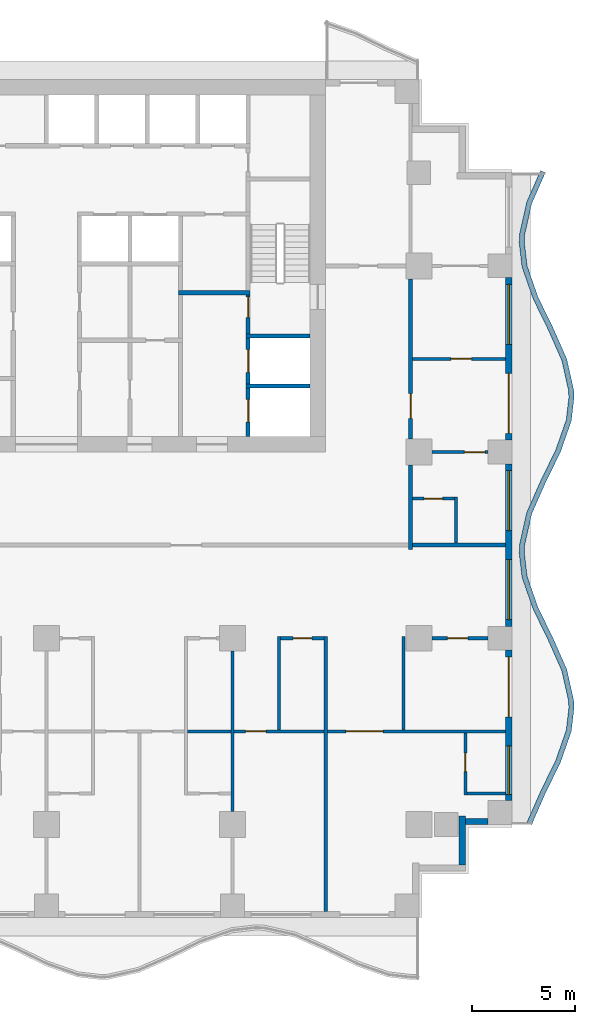
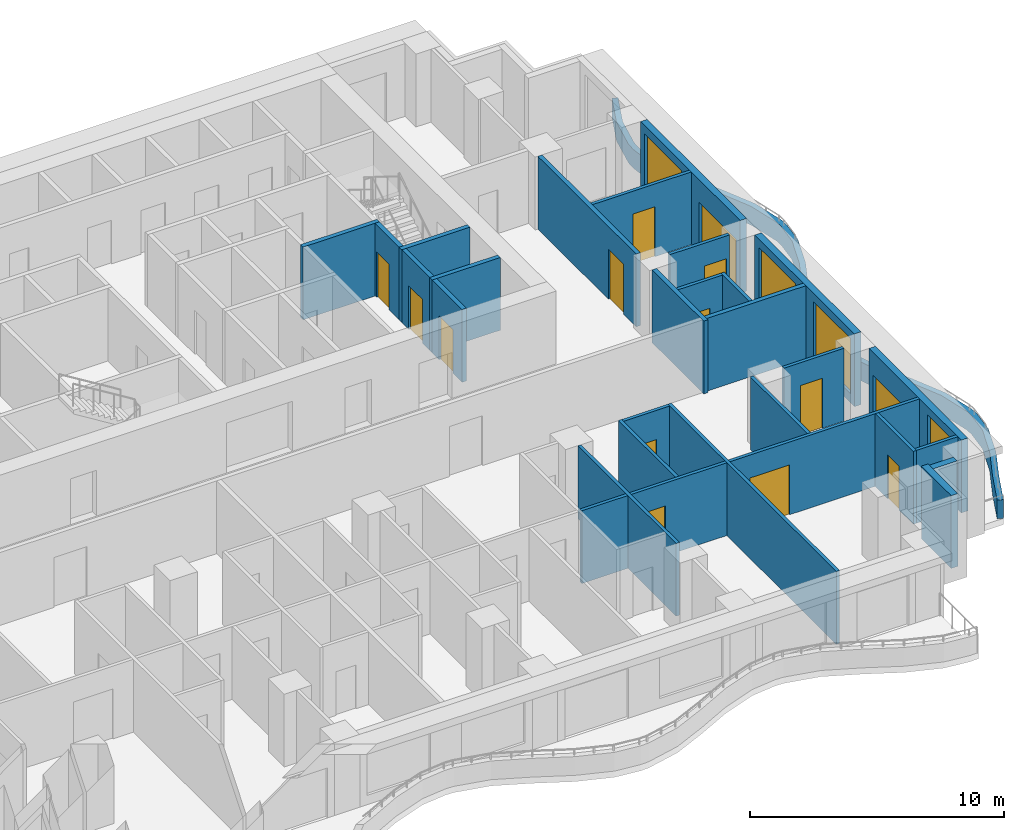
# One storey, part 4 of 10: 30 walls, 14 doors, 4 windows, 18 openings.
"""IFC4 building model written with IfcOpenShell, lengths in metres."""

from ifc_helpers import new_model, si_unit, direction, frame, frame_2d, origin, place, context, subcontext, project, spatial, polyline, rectangle, outline, extrude, material, layer, layer_set, type_object, element, fill, save


model = new_model("IFC4")

# Units and contexts
model_context = context("Model", 3, precision=1e-05, world=origin(), true_north=direction((0.0, 1.0)))
body_context = subcontext(model_context, "Body", "Model", "MODEL_VIEW")
ifc_project = project(units=[si_unit("LENGTHUNIT", "METRE"), si_unit("AREAUNIT", "SQUARE_METRE"), si_unit("VOLUMEUNIT", "CUBIC_METRE"), si_unit("PLANEANGLEUNIT", "RADIAN"), si_unit("MASSUNIT", "GRAM", prefix="KILO")], contexts=[model_context])

# Site, building, storey
site_placement = place(None, origin())
site = spatial("IfcSite", under=ifc_project, at=site_placement, CompositionType="ELEMENT")
building_placement = place(site_placement, origin())
building = spatial("IfcBuilding", under=site, at=building_placement, Name="Orbiselva Terraces", CompositionType="ELEMENT")
storey_placement = place(building_placement, frame((0.0, 0.0, 140.2)))
storey = spatial("IfcBuildingStorey", under=building, at=storey_placement, Name="L35", CompositionType="ELEMENT", Elevation=140.2)

# Wall
ifc_material_1 = material(Name="Concrete C60/75", Category="concrete")
ifc_layer_1 = layer(ifc_material_1, 0.2)
ifc_layer_set_1 = layer_set([ifc_layer_1], Name="Concrete C60/75")
wall_type_1 = type_object("IfcWallType", Name="CORE-WALL-SHEAR-200", PredefinedType="SHEAR", material=ifc_layer_set_1)
wall_1_placement = place(storey_placement, frame((6.375, 12.2, 0.0), z_axis=(0.0, 0.0, 1.0), x_axis=(1.0, 0.0, 0.0)))
element("IfcWall", 1, at=wall_1_placement, inside=storey, type_object=wall_type_1, Name="L35 core wall 34", PredefinedType="SHEAR", context=body_context, shape_type="SweptSolid", body=[
    extrude(rectangle(XDim=3.475, YDim=0.2, at=frame_2d((1.7375, 0.0))), origin(), (0.0, 0.0, 1.0), 3.5),
])

# Wall, opening, door
wall_2_placement = place(storey_placement, frame((9.75, 5.25, 0.0), z_axis=(0.0, 0.0, 1.0), x_axis=(0.0, 1.0, 0.0)))
wall_2 = element("IfcWall", 2, at=wall_2_placement, inside=storey, type_object=wall_type_1, Name="L35 core wall 38", PredefinedType="SHEAR", context=body_context, shape_type="SweptSolid", body=[
    extrude(rectangle(XDim=2.35, YDim=0.2, at=frame_2d((1.175, 0.0))), origin(), (0.0, 0.0, 1.0), 3.5),
])
opening_1_placement = place(wall_2_placement, frame((0.7, 0.0, 0.0)))
opening_1 = element("IfcOpeningElement", 3, at=opening_1_placement, cuts=wall_2, Name="Opening LD-FF1", PredefinedType="OPENING", context=body_context, shape_type="SweptSolid", body=[
    extrude(rectangle(XDim=1.1, YDim=2.1, at=frame_2d((0.55, 1.05))), frame((0.0, 0.11, 0.0), z_axis=(0.0, -1.0, 0.0), x_axis=(1.0, 0.0, 0.0)), (0.0, 0.0, 1.0), 0.22),
])
ifc_material_2 = material(Name="Stainless steel landing door", Category="steel")
door_type_1 = type_object("IfcDoorType", Name="LANDING DOOR 1100", OperationType="SLIDING_TO_LEFT", PredefinedType="DOOR", material=ifc_material_2)
door_1_placement = place(opening_1_placement, origin())
door_1 = element("IfcDoor", 4, at=door_1_placement, inside=storey, type_object=door_type_1, Name="L35 landing door FF1", OperationType="SLIDING_TO_RIGHT", OverallHeight=2.1, OverallWidth=1.1, PredefinedType="DOOR", context=body_context, shape_type="SweptSolid", body=[
    extrude(rectangle(XDim=1.1, YDim=2.1, at=frame_2d((0.55, 1.05))), frame((0.0, 0.025, 0.0), z_axis=(0.0, -1.0, 0.0), x_axis=(1.0, 0.0, 0.0)), (0.0, 0.0, 1.0), 0.05),
])
fill(opening_1, door_1)

# Wall
wall_3_placement = place(storey_placement, frame((9.65, 7.7, 0.0), z_axis=(0.0, 0.0, 1.0), x_axis=(1.0, 0.0, 0.0)))
element("IfcWall", 5, at=wall_3_placement, inside=storey, type_object=wall_type_1, Name="L35 core wall 39", PredefinedType="SHEAR", context=body_context, shape_type="SweptSolid", body=[
    extrude(rectangle(XDim=3.1, YDim=0.2, at=frame_2d((1.55, 0.0))), origin(), (0.0, 0.0, 1.0), 3.5),
])

# Wall, opening, door
wall_4_placement = place(storey_placement, frame((9.75, 7.8, 0.0), z_axis=(0.0, 0.0, 1.0), x_axis=(0.0, 1.0, 0.0)))
wall_4 = element("IfcWall", 6, at=wall_4_placement, inside=storey, type_object=wall_type_1, Name="L35 core wall 40", PredefinedType="SHEAR", context=body_context, shape_type="SweptSolid", body=[
    extrude(rectangle(XDim=2.2, YDim=0.2, at=frame_2d((1.1, 0.0))), origin(), (0.0, 0.0, 1.0), 3.5),
])
opening_2_placement = place(wall_4_placement, frame((0.55, 0.0, 0.0)))
opening_2 = element("IfcOpeningElement", 7, at=opening_2_placement, cuts=wall_4, Name="Opening LD-FF2", PredefinedType="OPENING", context=body_context, shape_type="SweptSolid", body=[
    extrude(rectangle(XDim=1.1, YDim=2.1, at=frame_2d((0.55, 1.05))), frame((0.0, 0.11, 0.0), z_axis=(0.0, -1.0, 0.0), x_axis=(1.0, 0.0, 0.0)), (0.0, 0.0, 1.0), 0.22),
])
door_2_placement = place(opening_2_placement, origin())
door_2 = element("IfcDoor", 8, at=door_2_placement, inside=storey, type_object=door_type_1, Name="L35 landing door FF2", OperationType="SLIDING_TO_RIGHT", OverallHeight=2.1, OverallWidth=1.1, PredefinedType="DOOR", context=body_context, shape_type="SweptSolid", body=[
    extrude(rectangle(XDim=1.1, YDim=2.1, at=frame_2d((0.55, 1.05))), frame((0.0, 0.025, 0.0), z_axis=(0.0, -1.0, 0.0), x_axis=(1.0, 0.0, 0.0)), (0.0, 0.0, 1.0), 0.05),
])
fill(opening_2, door_2)

# Wall
wall_5_placement = place(storey_placement, frame((9.65, 10.1, 0.0), z_axis=(0.0, 0.0, 1.0), x_axis=(1.0, 0.0, 0.0)))
element("IfcWall", 9, at=wall_5_placement, inside=storey, type_object=wall_type_1, Name="L35 core wall 41", PredefinedType="SHEAR", context=body_context, shape_type="SweptSolid", body=[
    extrude(rectangle(XDim=3.1, YDim=0.2, at=frame_2d((1.55, 0.0))), origin(), (0.0, 0.0, 1.0), 3.5),
])

# Wall, opening, door
wall_6_placement = place(storey_placement, frame((9.75, 12.1, 0.0), z_axis=(0.0, 0.0, 1.0), x_axis=(0.0, -1.0, 0.0)))
wall_6 = element("IfcWall", 10, at=wall_6_placement, inside=storey, type_object=wall_type_1, Name="L35 core wall 42", PredefinedType="SHEAR", context=body_context, shape_type="SweptSolid", body=[
    extrude(rectangle(XDim=1.9, YDim=0.2, at=frame_2d((0.95, 0.0))), origin(), (0.0, 0.0, 1.0), 3.5),
])
opening_3_placement = place(wall_6_placement, frame((0.1, 0.0, 0.0)))
opening_3 = element("IfcOpeningElement", 11, at=opening_3_placement, cuts=wall_6, Name="Opening DS1000", PredefinedType="OPENING", context=body_context, shape_type="SweptSolid", body=[
    extrude(rectangle(XDim=1.0, YDim=2.2, at=frame_2d((0.5, 1.1))), frame((0.0, 0.11, 0.0), z_axis=(0.0, -1.0, 0.0), x_axis=(1.0, 0.0, 0.0)), (0.0, 0.0, 1.0), 0.22),
])
ifc_material_3 = material(Name="Steel fire door", Category="steel")
door_type_2 = type_object("IfcDoorType", Name="STAIR DOOR 1000", OperationType="NOTDEFINED", PredefinedType="DOOR", material=ifc_material_3)
door_3_placement = place(opening_3_placement, origin())
door_3 = element("IfcDoor", 12, at=door_3_placement, inside=storey, type_object=door_type_2, Name="L35 FIRE-FIGHTING LOBBY TO EXIT STAIR S2 door", OperationType="SINGLE_SWING_LEFT", OverallHeight=2.2, OverallWidth=1.0, PredefinedType="DOOR", context=body_context, shape_type="SweptSolid", body=[
    extrude(rectangle(XDim=1.0, YDim=2.2, at=frame_2d((0.5, 1.1))), frame((0.0, 0.025, 0.0), z_axis=(0.0, -1.0, 0.0), x_axis=(1.0, 0.0, 0.0)), (0.0, 0.0, 1.0), 0.05),
])
fill(opening_3, door_3)

# Walls
ifc_material_4 = material(Name="Concrete C40/50", Category="concrete")
ifc_layer_2 = layer(ifc_material_4, 0.25)
ifc_layer_set_2 = layer_set([ifc_layer_2], Name="Concrete C40/50")
wall_type_2 = type_object("IfcWallType", Name="ENV-PLANTER-250x900", PredefinedType="USERDEFINED", material=ifc_layer_set_2)
wall_7_placement = place(storey_placement, origin())
element("IfcWall", 13, at=wall_7_placement, inside=storey, type_object=wall_type_2, Name="Balcony planter L35 E", ObjectType="PLANTER", PredefinedType="USERDEFINED", context=body_context, shape_type="SweptSolid", body=[
    extrude(outline(polyline([(23.451472, -13.5), (24.112279, -12.0), (24.844789, -10.5), (25.369208, -9.0), (25.5, -7.875), (25.485226, -7.5), (25.148528, -6.0), (24.487721, -4.5), (23.755211, -3.0), (23.230792, -1.5), (23.1, -0.375), (23.114774, 0.0), (23.451472, 1.5), (24.112279, 3.0), (24.844789, 4.5), (25.369208, 6.0), (25.5, 7.125), (25.485226, 7.5), (25.148528, 9.0), (24.487721, 10.5), (23.755211, 12.0), (23.230792, 13.5), (23.1, 14.625), (23.114774, 15.0), (23.451472, 16.5), (24.112279, 18.0), (23.883496, 18.100788), (23.212874, 16.578508), (22.865863, 15.032565), (22.849429, 14.615428), (22.985662, 13.443629), (23.524089, 11.90356), (24.260919, 10.394714), (24.90993, 8.921492), (25.236315, 7.467435), (25.249429, 7.134572), (25.124078, 6.056371), (24.613667, 4.59644), (23.885477, 3.105286), (23.212874, 1.578508), (22.865863, 0.032565), (22.849429, -0.384572), (22.985662, -1.556371), (23.524089, -3.09644), (24.260919, -4.605286), (24.90993, -6.078508), (25.236315, -7.532565), (25.249429, -7.865428), (25.124078, -8.943629), (24.613667, -10.40356), (23.885477, -11.894714), (23.222689, -13.399212), (23.451472, -13.5)])), origin(), (0.0, 0.0, 1.0), 0.9),
])
ifc_material_5 = material(Name="Terracotta cladding on masonry backing", Category="masonry")
ifc_layer_3 = layer(ifc_material_5, 0.3)
ifc_layer_set_3 = layer_set([ifc_layer_3], Name="Terracotta cladding on masonry backing")
wall_type_3 = type_object("IfcWallType", Name="ENV-WALL-TERRACOTTA-300", PredefinedType="SOLIDWALL", material=ifc_layer_set_3)
wall_8_placement = place(storey_placement, frame((20.1, -13.1, 0.0), z_axis=(0.0, 0.0, 1.0), x_axis=(0.0, -1.0, 0.0)))
element("IfcWall", 14, at=wall_8_placement, inside=storey, type_object=wall_type_3, Name="Facade wall L35 STEP", PredefinedType="SOLIDWALL", context=body_context, shape_type="SweptSolid", body=[
    extrude(rectangle(XDim=2.35, YDim=0.3, at=frame_2d((1.175, 0.0))), origin(), (0.0, 0.0, 1.0), 3.5),
])
wall_9_placement = place(storey_placement, frame((21.35, -13.35, 0.0), z_axis=(0.0, 0.0, 1.0), x_axis=(-1.0, 0.0, 0.0)))
element("IfcWall", 15, at=wall_9_placement, inside=storey, type_object=wall_type_3, Name="Facade wall L35 STEP", PredefinedType="SOLIDWALL", context=body_context, shape_type="SweptSolid", body=[
    extrude(rectangle(XDim=1.1, YDim=0.3, at=frame_2d((0.55, 0.0))), origin(), (0.0, 0.0, 1.0), 3.5),
])

# Wall, openings, door, window
wall_10_placement = place(storey_placement, frame((22.35, -5.075, 0.0), z_axis=(0.0, 0.0, 1.0), x_axis=(0.0, -1.0, 0.0)))
wall_10 = element("IfcWall", 16, at=wall_10_placement, inside=storey, type_object=wall_type_3, Name="Facade wall L35 E", PredefinedType="SOLIDWALL", context=body_context, shape_type="SweptSolid", body=[
    extrude(rectangle(XDim=7.275, YDim=0.3, at=frame_2d((3.6375, 0.0))), origin(), (0.0, 0.0, 1.0), 3.5),
])
opening_4_placement = place(wall_10_placement, frame((4.625, 0.0, 0.45)))
opening_4 = element("IfcOpeningElement", 17, at=opening_4_placement, cuts=wall_10, Name="Opening WN10", PredefinedType="OPENING", context=body_context, shape_type="SweptSolid", body=[
    extrude(rectangle(XDim=2.35, YDim=2.65, at=frame_2d((1.175, 1.325))), frame((0.0, 0.16, 0.0), z_axis=(0.0, -1.0, 0.0), x_axis=(1.0, 0.0, 0.0)), (0.0, 0.0, 1.0), 0.32),
])
opening_5_placement = place(wall_10_placement, frame((0.325, 0.0, 0.0)))
opening_5 = element("IfcOpeningElement", 18, at=opening_5_placement, cuts=wall_10, Name="Opening Z3-B-E04", PredefinedType="OPENING", context=body_context, shape_type="SweptSolid", body=[
    extrude(rectangle(XDim=2.9, YDim=2.4, at=frame_2d((1.45, 1.2))), frame((0.0, 0.16, 0.0), z_axis=(0.0, -1.0, 0.0), x_axis=(1.0, 0.0, 0.0)), (0.0, 0.0, 1.0), 0.32),
])
ifc_material_6 = material(Name="Clear low-e glazing in aluminium frame", Category="aluminium")
door_type_3 = type_object("IfcDoorType", Name="BALCONY DOOR 2900 X 2400", OperationType="DOUBLE_DOOR_SLIDING", PredefinedType="DOOR", material=ifc_material_6)
door_4_placement = place(opening_5_placement, origin())
door_4 = element("IfcDoor", 19, at=door_4_placement, inside=storey, type_object=door_type_3, Name="Z3-B-E04", OperationType="SINGLE_SWING_LEFT", OverallHeight=2.4, OverallWidth=2.9, PredefinedType="DOOR", context=body_context, shape_type="SweptSolid", body=[
    extrude(rectangle(XDim=2.9, YDim=2.4, at=frame_2d((1.45, 1.2))), frame((0.0, 0.025, 0.0), z_axis=(0.0, -1.0, 0.0), x_axis=(1.0, 0.0, 0.0)), (0.0, 0.0, 1.0), 0.05),
])
fill(opening_5, door_4)
window_type_1 = type_object("IfcWindowType", Name="WINDOW 2350 X 2650 S450", PartitioningType="TRIPLE_PANEL_VERTICAL", PredefinedType="WINDOW", material=ifc_material_6)
window_1_placement = place(opening_4_placement, origin())
window_1 = element("IfcWindow", 20, at=window_1_placement, inside=storey, type_object=window_type_1, Name="Window L35 E", OverallHeight=2.65, OverallWidth=2.35, PartitioningType="SINGLE_PANEL", PredefinedType="WINDOW", context=body_context, shape_type="SweptSolid", body=[
    extrude(rectangle(XDim=2.35, YDim=2.65, at=frame_2d((1.175, 1.325))), frame((0.0, 0.03, 0.0), z_axis=(0.0, -1.0, 0.0), x_axis=(1.0, 0.0, 0.0)), (0.0, 0.0, 1.0), 0.06),
])
fill(opening_4, window_1)

# Wall, openings, windows
wall_11_placement = place(storey_placement, frame((22.35, 3.925, 0.0), z_axis=(0.0, 0.0, 1.0), x_axis=(0.0, -1.0, 0.0)))
wall_11 = element("IfcWall", 21, at=wall_11_placement, inside=storey, type_object=wall_type_3, Name="Facade wall L35 E", PredefinedType="SOLIDWALL", context=body_context, shape_type="SweptSolid", body=[
    extrude(rectangle(XDim=7.85, YDim=0.3, at=frame_2d((3.925, 0.0))), origin(), (0.0, 0.0, 1.0), 3.5),
])
opening_6_placement = place(wall_11_placement, frame((4.625, 0.0, 0.45)))
opening_6 = element("IfcOpeningElement", 22, at=opening_6_placement, cuts=wall_11, Name="Opening WN8", PredefinedType="OPENING", context=body_context, shape_type="SweptSolid", body=[
    extrude(rectangle(XDim=2.9, YDim=2.65, at=frame_2d((1.45, 1.325))), frame((0.0, 0.16, 0.0), z_axis=(0.0, -1.0, 0.0), x_axis=(1.0, 0.0, 0.0)), (0.0, 0.0, 1.0), 0.32),
])
opening_7_placement = place(wall_11_placement, frame((0.325, 0.0, 0.45)))
opening_7 = element("IfcOpeningElement", 23, at=opening_7_placement, cuts=wall_11, Name="Opening WN8", PredefinedType="OPENING", context=body_context, shape_type="SweptSolid", body=[
    extrude(rectangle(XDim=2.9, YDim=2.65, at=frame_2d((1.45, 1.325))), frame((0.0, 0.16, 0.0), z_axis=(0.0, -1.0, 0.0), x_axis=(1.0, 0.0, 0.0)), (0.0, 0.0, 1.0), 0.32),
])
window_type_2 = type_object("IfcWindowType", Name="WINDOW 2900 X 2650 S450", PartitioningType="TRIPLE_PANEL_VERTICAL", PredefinedType="WINDOW", material=ifc_material_6)
window_2_placement = place(opening_6_placement, origin())
window_2 = element("IfcWindow", 24, at=window_2_placement, inside=storey, type_object=window_type_2, Name="Window L35 E", OverallHeight=2.65, OverallWidth=2.9, PartitioningType="SINGLE_PANEL", PredefinedType="WINDOW", context=body_context, shape_type="SweptSolid", body=[
    extrude(rectangle(XDim=2.9, YDim=2.65, at=frame_2d((1.45, 1.325))), frame((0.0, 0.03, 0.0), z_axis=(0.0, -1.0, 0.0), x_axis=(1.0, 0.0, 0.0)), (0.0, 0.0, 1.0), 0.06),
])
fill(opening_6, window_2)
window_3_placement = place(opening_7_placement, origin())
window_3 = element("IfcWindow", 25, at=window_3_placement, inside=storey, type_object=window_type_2, Name="Window L35 E", OverallHeight=2.65, OverallWidth=2.9, PartitioningType="SINGLE_PANEL", PredefinedType="WINDOW", context=body_context, shape_type="SweptSolid", body=[
    extrude(rectangle(XDim=2.9, YDim=2.65, at=frame_2d((1.45, 1.325))), frame((0.0, 0.03, 0.0), z_axis=(0.0, -1.0, 0.0), x_axis=(1.0, 0.0, 0.0)), (0.0, 0.0, 1.0), 0.06),
])
fill(opening_7, window_3)

# Wall, openings, door, window
wall_12_placement = place(storey_placement, frame((22.35, 12.925, 0.0), z_axis=(0.0, 0.0, 1.0), x_axis=(0.0, -1.0, 0.0)))
wall_12 = element("IfcWall", 26, at=wall_12_placement, inside=storey, type_object=wall_type_3, Name="Facade wall L35 E", PredefinedType="SOLIDWALL", context=body_context, shape_type="SweptSolid", body=[
    extrude(rectangle(XDim=7.85, YDim=0.3, at=frame_2d((3.925, 0.0))), origin(), (0.0, 0.0, 1.0), 3.5),
])
opening_8_placement = place(wall_12_placement, frame((4.625, 0.0, 0.0)))
opening_8 = element("IfcOpeningElement", 27, at=opening_8_placement, cuts=wall_12, Name="Opening Z3-B-E05", PredefinedType="OPENING", context=body_context, shape_type="SweptSolid", body=[
    extrude(rectangle(XDim=2.9, YDim=2.4, at=frame_2d((1.45, 1.2))), frame((0.0, 0.16, 0.0), z_axis=(0.0, -1.0, 0.0), x_axis=(1.0, 0.0, 0.0)), (0.0, 0.0, 1.0), 0.32),
])
opening_9_placement = place(wall_12_placement, frame((0.325, 0.0, 0.45)))
opening_9 = element("IfcOpeningElement", 28, at=opening_9_placement, cuts=wall_12, Name="Opening WN8", PredefinedType="OPENING", context=body_context, shape_type="SweptSolid", body=[
    extrude(rectangle(XDim=2.9, YDim=2.65, at=frame_2d((1.45, 1.325))), frame((0.0, 0.16, 0.0), z_axis=(0.0, -1.0, 0.0), x_axis=(1.0, 0.0, 0.0)), (0.0, 0.0, 1.0), 0.32),
])
door_5_placement = place(opening_8_placement, origin())
door_5 = element("IfcDoor", 29, at=door_5_placement, inside=storey, type_object=door_type_3, Name="Z3-B-E05", OperationType="SINGLE_SWING_LEFT", OverallHeight=2.4, OverallWidth=2.9, PredefinedType="DOOR", context=body_context, shape_type="SweptSolid", body=[
    extrude(rectangle(XDim=2.9, YDim=2.4, at=frame_2d((1.45, 1.2))), frame((0.0, 0.025, 0.0), z_axis=(0.0, -1.0, 0.0), x_axis=(1.0, 0.0, 0.0)), (0.0, 0.0, 1.0), 0.05),
])
fill(opening_8, door_5)
window_4_placement = place(opening_9_placement, origin())
window_4 = element("IfcWindow", 30, at=window_4_placement, inside=storey, type_object=window_type_2, Name="Window L35 E", OverallHeight=2.65, OverallWidth=2.9, PartitioningType="SINGLE_PANEL", PredefinedType="WINDOW", context=body_context, shape_type="SweptSolid", body=[
    extrude(rectangle(XDim=2.9, YDim=2.65, at=frame_2d((1.45, 1.325))), frame((0.0, 0.03, 0.0), z_axis=(0.0, -1.0, 0.0), x_axis=(1.0, 0.0, 0.0)), (0.0, 0.0, 1.0), 0.06),
])
fill(opening_9, window_4)

# Wall
ifc_material_7 = material(Name="Plasterboard on steel stud partition", Category="steel")
ifc_layer_4 = layer(ifc_material_7, 0.2)
ifc_layer_set_4 = layer_set([ifc_layer_4], Name="Plasterboard on steel stud partition")
wall_type_4 = type_object("IfcWallType", Name="UNIT-ENTRANCE-WALL-200", PredefinedType="PARTITIONING", material=ifc_layer_set_4)
wall_13_placement = place(storey_placement, frame((17.6, -0.2, 0.0), z_axis=(0.0, 0.0, 1.0), x_axis=(0.0, 1.0, 0.0)))
element("IfcWall", 31, at=wall_13_placement, inside=storey, type_object=wall_type_4, Name="PARTITION L35-064", PredefinedType="PARTITIONING", context=body_context, shape_type="SweptSolid", body=[
    extrude(rectangle(XDim=4.075, YDim=0.2, at=frame_2d((2.0375, 0.0))), origin(), (0.0, 0.0, 1.0), 3.5),
])

# Wall, opening, door
wall_14_placement = place(storey_placement, frame((17.6, 12.875, 0.0), z_axis=(0.0, 0.0, 1.0), x_axis=(0.0, -1.0, 0.0)))
wall_14 = element("IfcWall", 32, at=wall_14_placement, inside=storey, type_object=wall_type_4, Name="PARTITION L35-065", PredefinedType="PARTITIONING", context=body_context, shape_type="SweptSolid", body=[
    extrude(rectangle(XDim=7.75, YDim=0.2, at=frame_2d((3.875, 0.0))), origin(), (0.0, 0.0, 1.0), 3.5),
])
opening_10_placement = place(wall_14_placement, frame((5.55, 0.0, 0.0)))
opening_10 = element("IfcOpeningElement", 33, at=opening_10_placement, cuts=wall_14, Name="Opening Z3-B-10", PredefinedType="OPENING", context=body_context, shape_type="SweptSolid", body=[
    extrude(rectangle(XDim=1.2, YDim=2.4, at=frame_2d((0.6, 1.2))), frame((0.0, 0.11, 0.0), z_axis=(0.0, -1.0, 0.0), x_axis=(1.0, 0.0, 0.0)), (0.0, 0.0, 1.0), 0.22),
])
ifc_material_8 = material(Name="Painted timber door leaf", Category="wood")
door_type_4 = type_object("IfcDoorType", Name="ENTRANCE DOOR 1200", OperationType="NOTDEFINED", PredefinedType="DOOR", material=ifc_material_8)
door_6_placement = place(opening_10_placement, origin())
door_6 = element("IfcDoor", 34, at=door_6_placement, inside=storey, type_object=door_type_4, Name="Z3-B-10", OperationType="SINGLE_SWING_RIGHT", OverallHeight=2.4, OverallWidth=1.2, PredefinedType="DOOR", context=body_context, shape_type="SweptSolid", body=[
    extrude(rectangle(XDim=1.2, YDim=2.4, at=frame_2d((0.6, 1.2))), frame((0.0, 0.025, 0.0), z_axis=(0.0, -1.0, 0.0), x_axis=(1.0, 0.0, 0.0)), (0.0, 0.0, 1.0), 0.05),
])
fill(opening_10, door_6)

# Walls
ifc_layer_5 = layer(ifc_material_7, 0.15)
ifc_layer_set_5 = layer_set([ifc_layer_5], Name="Plasterboard on steel stud partition")
wall_type_5 = type_object("IfcWallType", Name="UNIT-PARTITION-150", PredefinedType="PARTITIONING", material=ifc_layer_set_5)
wall_15_placement = place(storey_placement, frame((20.325, -12.0, 0.0), z_axis=(0.0, 0.0, 1.0), x_axis=(1.0, 0.0, 0.0)))
element("IfcWall", 35, at=wall_15_placement, inside=storey, type_object=wall_type_5, Name="PARTITION L35-007", PredefinedType="PARTITIONING", context=body_context, shape_type="SweptSolid", body=[
    extrude(rectangle(XDim=1.875, YDim=0.15, at=frame_2d((0.9375, 0.0))), origin(), (0.0, 0.0, 1.0), 3.5),
])
wall_16_placement = place(storey_placement, frame((6.825, -9.0, 0.0), z_axis=(0.0, 0.0, 1.0), x_axis=(1.0, 0.0, 0.0)))
element("IfcWall", 36, at=wall_16_placement, inside=storey, type_object=wall_type_5, Name="PARTITION L35-016", PredefinedType="PARTITIONING", context=body_context, shape_type="SweptSolid", body=[
    extrude(rectangle(XDim=2.1, YDim=0.15, at=frame_2d((1.05, 0.0))), origin(), (0.0, 0.0, 1.0), 3.5),
])

# Wall, opening, door
wall_17_placement = place(storey_placement, frame((13.425, -9.0, 0.0), z_axis=(0.0, 0.0, 1.0), x_axis=(-1.0, 0.0, 0.0)))
wall_17 = element("IfcWall", 37, at=wall_17_placement, inside=storey, type_object=wall_type_5, Name="PARTITION L35-017", PredefinedType="PARTITIONING", context=body_context, shape_type="SweptSolid", body=[
    extrude(rectangle(XDim=4.35, YDim=0.15, at=frame_2d((2.175, 0.0))), origin(), (0.0, 0.0, 1.0), 3.5),
])
opening_11_placement = place(wall_17_placement, frame((2.8, 0.0, 0.0)))
opening_11 = element("IfcOpeningElement", 38, at=opening_11_placement, cuts=wall_17, Name="Opening Z3-B-35", PredefinedType="OPENING", context=body_context, shape_type="SweptSolid", body=[
    extrude(rectangle(XDim=1.0, YDim=2.4, at=frame_2d((0.5, 1.2))), frame((0.0, 0.085, 0.0), z_axis=(0.0, -1.0, 0.0), x_axis=(1.0, 0.0, 0.0)), (0.0, 0.0, 1.0), 0.17),
])
door_type_5 = type_object("IfcDoorType", Name="ROOM DOOR 1000", OperationType="NOTDEFINED", PredefinedType="DOOR", material=ifc_material_8)
door_7_placement = place(opening_11_placement, origin())
door_7 = element("IfcDoor", 39, at=door_7_placement, inside=storey, type_object=door_type_5, Name="Z3-B-35", OperationType="SINGLE_SWING_RIGHT", OverallHeight=2.4, OverallWidth=1.0, PredefinedType="DOOR", context=body_context, shape_type="SweptSolid", body=[
    extrude(rectangle(XDim=1.0, YDim=2.4, at=frame_2d((0.5, 1.2))), frame((0.0, 0.025, 0.0), z_axis=(0.0, -1.0, 0.0), x_axis=(1.0, 0.0, 0.0)), (0.0, 0.0, 1.0), 0.05),
])
fill(opening_11, door_7)

wall_18_placement = place(storey_placement, frame((22.2, -9.0, 0.0), z_axis=(0.0, 0.0, 1.0), x_axis=(-1.0, 0.0, 0.0)))
wall_18 = element("IfcWall", 40, at=wall_18_placement, inside=storey, type_object=wall_type_5, Name="PARTITION L35-018", PredefinedType="PARTITIONING", context=body_context, shape_type="SweptSolid", body=[
    extrude(rectangle(XDim=8.625, YDim=0.15, at=frame_2d((4.3125, 0.0))), origin(), (0.0, 0.0, 1.0), 3.5),
])
opening_12_placement = place(wall_18_placement, frame((5.925, 0.0, 0.0)))
opening_12 = element("IfcOpeningElement", 41, at=opening_12_placement, cuts=wall_18, Name="Opening Z3-B-36", PredefinedType="OPENING", context=body_context, shape_type="SweptSolid", body=[
    extrude(rectangle(XDim=1.8, YDim=2.4, at=frame_2d((0.9, 1.2))), frame((0.0, 0.085, 0.0), z_axis=(0.0, -1.0, 0.0), x_axis=(1.0, 0.0, 0.0)), (0.0, 0.0, 1.0), 0.17),
])
door_type_6 = type_object("IfcDoorType", Name="DOUBLE DOOR 1800", OperationType="NOTDEFINED", PredefinedType="DOOR", material=ifc_material_8)
door_8_placement = place(opening_12_placement, origin())
door_8 = element("IfcDoor", 42, at=door_8_placement, inside=storey, type_object=door_type_6, Name="Z3-B-36", OperationType="DOUBLE_DOOR_SINGLE_SWING", OverallHeight=2.4, OverallWidth=1.8, PredefinedType="DOOR", context=body_context, shape_type="SweptSolid", body=[
    extrude(rectangle(XDim=1.8, YDim=2.4, at=frame_2d((0.9, 1.2))), frame((0.0, 0.025, 0.0), z_axis=(0.0, -1.0, 0.0), x_axis=(1.0, 0.0, 0.0)), (0.0, 0.0, 1.0), 0.05),
])
fill(opening_12, door_8)

wall_19_placement = place(storey_placement, frame((13.425, -4.5, 0.0), z_axis=(0.0, 0.0, 1.0), x_axis=(-1.0, 0.0, 0.0)))
wall_19 = element("IfcWall", 43, at=wall_19_placement, inside=storey, type_object=wall_type_5, Name="PARTITION L35-025", PredefinedType="PARTITIONING", context=body_context, shape_type="SweptSolid", body=[
    extrude(rectangle(XDim=2.1, YDim=0.15, at=frame_2d((1.05, 0.0))), origin(), (0.0, 0.0, 1.0), 3.5),
])
opening_13_placement = place(wall_19_placement, frame((0.6, 0.0, 0.0)))
opening_13 = element("IfcOpeningElement", 44, at=opening_13_placement, cuts=wall_19, Name="Opening Z3-B-27", PredefinedType="OPENING", context=body_context, shape_type="SweptSolid", body=[
    extrude(rectangle(XDim=0.9, YDim=2.1, at=frame_2d((0.45, 1.05))), frame((0.0, 0.085, 0.0), z_axis=(0.0, -1.0, 0.0), x_axis=(1.0, 0.0, 0.0)), (0.0, 0.0, 1.0), 0.17),
])
door_type_7 = type_object("IfcDoorType", Name="SERVICE DOOR 900", OperationType="NOTDEFINED", PredefinedType="DOOR", material=ifc_material_8)
door_9_placement = place(opening_13_placement, origin())
door_9 = element("IfcDoor", 45, at=door_9_placement, inside=storey, type_object=door_type_7, Name="Z3-B-27", OperationType="SINGLE_SWING_RIGHT", OverallHeight=2.1, OverallWidth=0.9, PredefinedType="DOOR", context=body_context, shape_type="SweptSolid", body=[
    extrude(rectangle(XDim=0.9, YDim=2.1, at=frame_2d((0.45, 1.05))), frame((0.0, 0.025, 0.0), z_axis=(0.0, -1.0, 0.0), x_axis=(1.0, 0.0, 0.0)), (0.0, 0.0, 1.0), 0.05),
])
fill(opening_13, door_9)

wall_20_placement = place(storey_placement, frame((21.35, -4.5, 0.0), z_axis=(0.0, 0.0, 1.0), x_axis=(-1.0, 0.0, 0.0)))
wall_20 = element("IfcWall", 46, at=wall_20_placement, inside=storey, type_object=wall_type_5, Name="PARTITION L35-026", PredefinedType="PARTITIONING", context=body_context, shape_type="SweptSolid", body=[
    extrude(rectangle(XDim=2.725, YDim=0.15, at=frame_2d((1.3625, 0.0))), origin(), (0.0, 0.0, 1.0), 3.5),
])
opening_14_placement = place(wall_20_placement, frame((0.975, 0.0, 0.0)))
opening_14 = element("IfcOpeningElement", 47, at=opening_14_placement, cuts=wall_20, Name="Opening Z3-B-28", PredefinedType="OPENING", context=body_context, shape_type="SweptSolid", body=[
    extrude(rectangle(XDim=1.0, YDim=2.4, at=frame_2d((0.5, 1.2))), frame((0.0, 0.085, 0.0), z_axis=(0.0, -1.0, 0.0), x_axis=(1.0, 0.0, 0.0)), (0.0, 0.0, 1.0), 0.17),
])
door_10_placement = place(opening_14_placement, origin())
door_10 = element("IfcDoor", 48, at=door_10_placement, inside=storey, type_object=door_type_5, Name="Z3-B-28", OperationType="SINGLE_SWING_RIGHT", OverallHeight=2.4, OverallWidth=1.0, PredefinedType="DOOR", context=body_context, shape_type="SweptSolid", body=[
    extrude(rectangle(XDim=1.0, YDim=2.4, at=frame_2d((0.5, 1.2))), frame((0.0, 0.025, 0.0), z_axis=(0.0, -1.0, 0.0), x_axis=(1.0, 0.0, 0.0)), (0.0, 0.0, 1.0), 0.05),
])
fill(opening_14, door_10)

wall_21_placement = place(storey_placement, frame((19.73, 2.25, 0.0), z_axis=(0.0, 0.0, 1.0), x_axis=(-1.0, 0.0, 0.0)))
wall_21 = element("IfcWall", 49, at=wall_21_placement, inside=storey, type_object=wall_type_5, Name="PARTITION L35-031", PredefinedType="PARTITIONING", context=body_context, shape_type="SweptSolid", body=[
    extrude(rectangle(XDim=2.03, YDim=0.15, at=frame_2d((1.015, 0.0))), origin(), (0.0, 0.0, 1.0), 3.5),
])
opening_15_placement = place(wall_21_placement, frame((0.58, 0.0, 0.0)))
opening_15 = element("IfcOpeningElement", 50, at=opening_15_placement, cuts=wall_21, Name="Opening Z3-B-09", PredefinedType="OPENING", context=body_context, shape_type="SweptSolid", body=[
    extrude(rectangle(XDim=0.9, YDim=2.1, at=frame_2d((0.45, 1.05))), frame((0.0, 0.085, 0.0), z_axis=(0.0, -1.0, 0.0), x_axis=(1.0, 0.0, 0.0)), (0.0, 0.0, 1.0), 0.17),
])
door_type_8 = type_object("IfcDoorType", Name="BATH DOOR 900", OperationType="NOTDEFINED", PredefinedType="DOOR", material=ifc_material_8)
door_11_placement = place(opening_15_placement, origin())
door_11 = element("IfcDoor", 51, at=door_11_placement, inside=storey, type_object=door_type_8, Name="Z3-B-09", OperationType="SINGLE_SWING_RIGHT", OverallHeight=2.1, OverallWidth=0.9, PredefinedType="DOOR", context=body_context, shape_type="SweptSolid", body=[
    extrude(rectangle(XDim=0.9, YDim=2.1, at=frame_2d((0.45, 1.05))), frame((0.0, 0.025, 0.0), z_axis=(0.0, -1.0, 0.0), x_axis=(1.0, 0.0, 0.0)), (0.0, 0.0, 1.0), 0.05),
])
fill(opening_15, door_11)

wall_22_placement = place(storey_placement, frame((21.35, 4.5, 0.0), z_axis=(0.0, 0.0, 1.0), x_axis=(-1.0, 0.0, 0.0)))
wall_22 = element("IfcWall", 52, at=wall_22_placement, inside=storey, type_object=wall_type_5, Name="PARTITION L35-033", PredefinedType="PARTITIONING", context=body_context, shape_type="SweptSolid", body=[
    extrude(rectangle(XDim=2.725, YDim=0.15, at=frame_2d((1.3625, 0.0))), origin(), (0.0, 0.0, 1.0), 3.5),
])
opening_16_placement = place(wall_22_placement, frame((0.15, 0.0, 0.0)))
opening_16 = element("IfcOpeningElement", 53, at=opening_16_placement, cuts=wall_22, Name="Opening Z3-B-08", PredefinedType="OPENING", context=body_context, shape_type="SweptSolid", body=[
    extrude(rectangle(XDim=1.0, YDim=2.4, at=frame_2d((0.5, 1.2))), frame((0.0, 0.085, 0.0), z_axis=(0.0, -1.0, 0.0), x_axis=(1.0, 0.0, 0.0)), (0.0, 0.0, 1.0), 0.17),
])
door_12_placement = place(opening_16_placement, origin())
door_12 = element("IfcDoor", 54, at=door_12_placement, inside=storey, type_object=door_type_5, Name="Z3-B-08", OperationType="SINGLE_SWING_LEFT", OverallHeight=2.4, OverallWidth=1.0, PredefinedType="DOOR", context=body_context, shape_type="SweptSolid", body=[
    extrude(rectangle(XDim=1.0, YDim=2.4, at=frame_2d((0.5, 1.2))), frame((0.0, 0.025, 0.0), z_axis=(0.0, -1.0, 0.0), x_axis=(1.0, 0.0, 0.0)), (0.0, 0.0, 1.0), 0.05),
])
fill(opening_16, door_12)

wall_23_placement = place(storey_placement, frame((17.7, 9.0, 0.0), z_axis=(0.0, 0.0, 1.0), x_axis=(1.0, 0.0, 0.0)))
wall_23 = element("IfcWall", 55, at=wall_23_placement, inside=storey, type_object=wall_type_5, Name="PARTITION L35-035", PredefinedType="PARTITIONING", context=body_context, shape_type="SweptSolid", body=[
    extrude(rectangle(XDim=4.5, YDim=0.15, at=frame_2d((2.25, 0.0))), origin(), (0.0, 0.0, 1.0), 3.5),
])
opening_17_placement = place(wall_23_placement, frame((1.85, 0.0, 0.0)))
opening_17 = element("IfcOpeningElement", 56, at=opening_17_placement, cuts=wall_23, Name="Opening Z3-B-11", PredefinedType="OPENING", context=body_context, shape_type="SweptSolid", body=[
    extrude(rectangle(XDim=1.0, YDim=2.4, at=frame_2d((0.5, 1.2))), frame((0.0, 0.085, 0.0), z_axis=(0.0, -1.0, 0.0), x_axis=(1.0, 0.0, 0.0)), (0.0, 0.0, 1.0), 0.17),
])
door_13_placement = place(opening_17_placement, origin())
door_13 = element("IfcDoor", 57, at=door_13_placement, inside=storey, type_object=door_type_5, Name="Z3-B-11", OperationType="SINGLE_SWING_RIGHT", OverallHeight=2.4, OverallWidth=1.0, PredefinedType="DOOR", context=body_context, shape_type="SweptSolid", body=[
    extrude(rectangle(XDim=1.0, YDim=2.4, at=frame_2d((0.5, 1.2))), frame((0.0, 0.025, 0.0), z_axis=(0.0, -1.0, 0.0), x_axis=(1.0, 0.0, 0.0)), (0.0, 0.0, 1.0), 0.05),
])
fill(opening_17, door_13)

# Walls
wall_24_placement = place(storey_placement, frame((9.0, -12.875, 0.0), z_axis=(0.0, 0.0, 1.0), x_axis=(0.0, 1.0, 0.0)))
element("IfcWall", 58, at=wall_24_placement, inside=storey, type_object=wall_type_5, Name="PARTITION L35-060", PredefinedType="PARTITIONING", context=body_context, shape_type="SweptSolid", body=[
    extrude(rectangle(XDim=7.75, YDim=0.15, at=frame_2d((3.875, 0.0))), origin(), (0.0, 0.0, 1.0), 3.5),
])
wall_25_placement = place(storey_placement, frame((11.25, -8.925, 0.0), z_axis=(0.0, 0.0, 1.0), x_axis=(0.0, 1.0, 0.0)))
element("IfcWall", 59, at=wall_25_placement, inside=storey, type_object=wall_type_5, Name="PARTITION L35-061", PredefinedType="PARTITIONING", context=body_context, shape_type="SweptSolid", body=[
    extrude(rectangle(XDim=4.5, YDim=0.15, at=frame_2d((2.25, 0.0))), origin(), (0.0, 0.0, 1.0), 3.5),
])
wall_26_placement = place(storey_placement, frame((13.5, -17.7, 0.0), z_axis=(0.0, 0.0, 1.0), x_axis=(0.0, 1.0, 0.0)))
element("IfcWall", 60, at=wall_26_placement, inside=storey, type_object=wall_type_5, Name="PARTITION L35-062", PredefinedType="PARTITIONING", context=body_context, shape_type="SweptSolid", body=[
    extrude(rectangle(XDim=13.275, YDim=0.15, at=frame_2d((6.6375, 0.0))), origin(), (0.0, 0.0, 1.0), 3.5),
])
wall_27_placement = place(storey_placement, frame((17.25, -8.925, 0.0), z_axis=(0.0, 0.0, 1.0), x_axis=(0.0, 1.0, 0.0)))
element("IfcWall", 61, at=wall_27_placement, inside=storey, type_object=wall_type_5, Name="PARTITION L35-063", PredefinedType="PARTITIONING", context=body_context, shape_type="SweptSolid", body=[
    extrude(rectangle(XDim=4.5, YDim=0.15, at=frame_2d((2.25, 0.0))), origin(), (0.0, 0.0, 1.0), 3.5),
])
wall_28_placement = place(storey_placement, frame((19.805, 0.1, 0.0), z_axis=(0.0, 0.0, 1.0), x_axis=(0.0, 1.0, 0.0)))
element("IfcWall", 62, at=wall_28_placement, inside=storey, type_object=wall_type_5, Name="PARTITION L35-068", PredefinedType="PARTITIONING", context=body_context, shape_type="SweptSolid", body=[
    extrude(rectangle(XDim=2.225, YDim=0.15, at=frame_2d((1.1125, 0.0))), origin(), (0.0, 0.0, 1.0), 3.5),
])

# Wall, opening, door
wall_29_placement = place(storey_placement, frame((20.25, -9.075, 0.0), z_axis=(0.0, 0.0, 1.0), x_axis=(0.0, -1.0, 0.0)))
wall_29 = element("IfcWall", 63, at=wall_29_placement, inside=storey, type_object=wall_type_5, Name="PARTITION L35-069", PredefinedType="PARTITIONING", context=body_context, shape_type="SweptSolid", body=[
    extrude(rectangle(XDim=3.0, YDim=0.15, at=frame_2d((1.5, 0.0))), origin(), (0.0, 0.0, 1.0), 3.5),
])
opening_18_placement = place(wall_29_placement, frame((0.975, 0.0, 0.0)))
opening_18 = element("IfcOpeningElement", 64, at=opening_18_placement, cuts=wall_29, Name="Opening Z3-B-37", PredefinedType="OPENING", context=body_context, shape_type="SweptSolid", body=[
    extrude(rectangle(XDim=0.9, YDim=2.1, at=frame_2d((0.45, 1.05))), frame((0.0, 0.085, 0.0), z_axis=(0.0, -1.0, 0.0), x_axis=(1.0, 0.0, 0.0)), (0.0, 0.0, 1.0), 0.17),
])
door_14_placement = place(opening_18_placement, origin())
door_14 = element("IfcDoor", 65, at=door_14_placement, inside=storey, type_object=door_type_8, Name="Z3-B-37", OperationType="SINGLE_SWING_LEFT", OverallHeight=2.1, OverallWidth=0.9, PredefinedType="DOOR", context=body_context, shape_type="SweptSolid", body=[
    extrude(rectangle(XDim=0.9, YDim=2.1, at=frame_2d((0.45, 1.05))), frame((0.0, 0.025, 0.0), z_axis=(0.0, -1.0, 0.0), x_axis=(1.0, 0.0, 0.0)), (0.0, 0.0, 1.0), 0.05),
])
fill(opening_18, door_14)

# Wall
ifc_layer_6 = layer(ifc_material_7, 0.2)
ifc_layer_set_6 = layer_set([ifc_layer_6], Name="Plasterboard on steel stud partition")
wall_type_6 = type_object("IfcWallType", Name="UNIT-PARTY-WALL-200", PredefinedType="PARTITIONING", material=ifc_layer_set_6)
wall_30_placement = place(storey_placement, frame((17.7, 0.0, 0.0), z_axis=(0.0, 0.0, 1.0), x_axis=(1.0, 0.0, 0.0)))
element("IfcWall", 66, at=wall_30_placement, inside=storey, type_object=wall_type_6, Name="PARTITION L35-029", PredefinedType="PARTITIONING", context=body_context, shape_type="SweptSolid", body=[
    extrude(rectangle(XDim=4.5, YDim=0.2, at=frame_2d((2.25, 0.0))), origin(), (0.0, 0.0, 1.0), 3.5),
])

save(model, "model.ifc")
